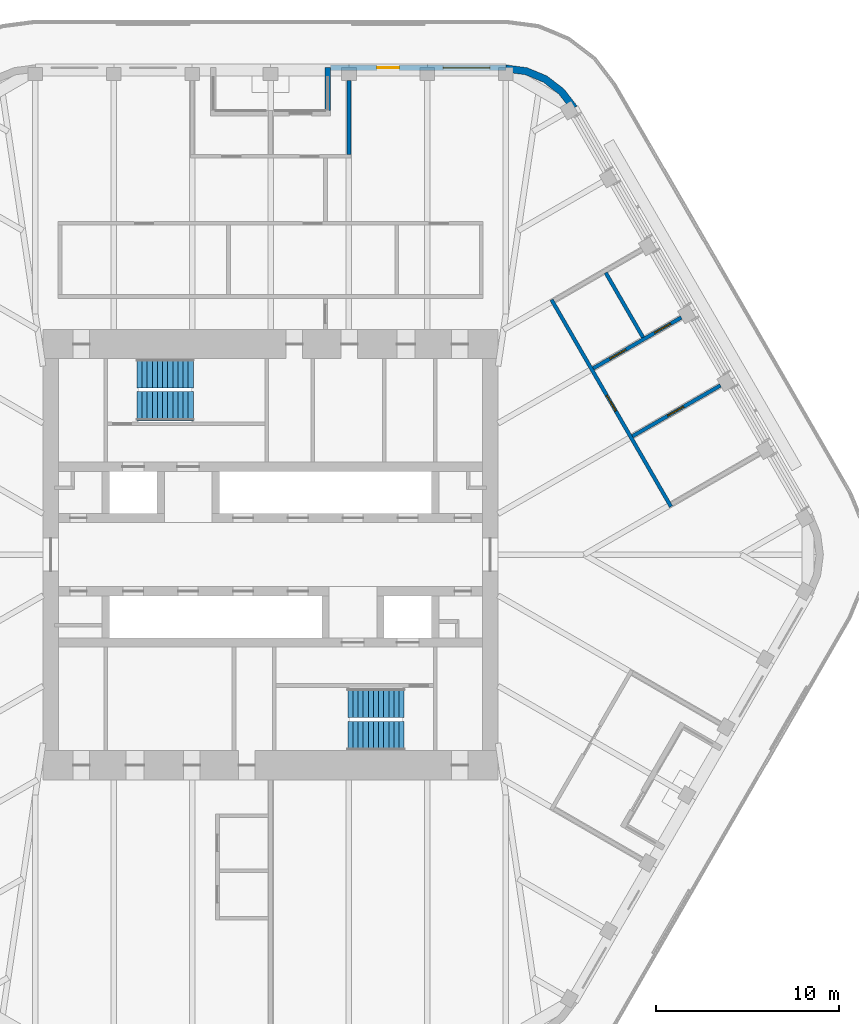
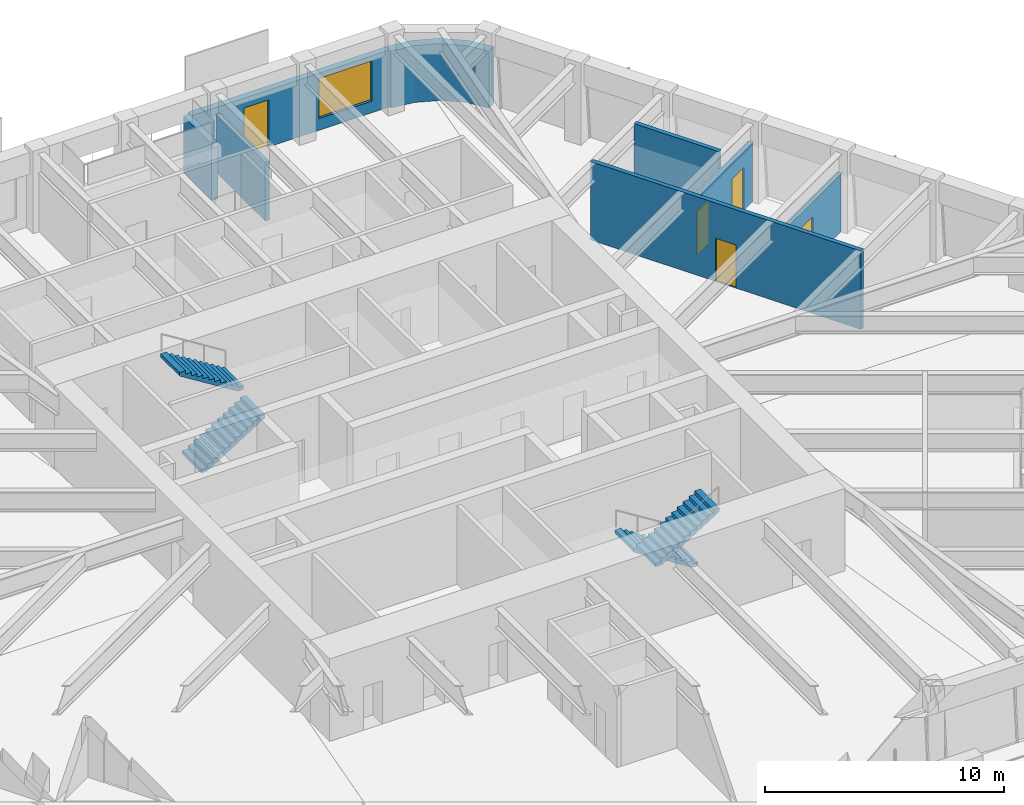
# One storey, part 16 of 19: 8 walls, 5 doors, 4 stair flights, 1 window, 6 openings, 2 elements without a shape of their own.
"""IFC4 building model written with IfcOpenShell, lengths in metres."""

from ifc_helpers import new_model, si_unit, direction, frame, frame_2d, origin, place, context, subcontext, project, spatial, polyline, rectangle, outline, extrude, material, layer, layer_set, type_object, element, fill, aggregate, save


model = new_model("IFC4")

# Units and contexts
model_context = context("Model", 3, precision=1e-05, world=origin(), true_north=direction((0.0, 1.0)))
body_context = subcontext(model_context, "Body", "Model", "MODEL_VIEW")
ifc_project = project(units=[si_unit("LENGTHUNIT", "METRE"), si_unit("AREAUNIT", "SQUARE_METRE"), si_unit("VOLUMEUNIT", "CUBIC_METRE"), si_unit("PLANEANGLEUNIT", "RADIAN"), si_unit("MASSUNIT", "GRAM", prefix="KILO")], contexts=[model_context])

# Site, building, storey
site_placement = place(None, origin())
site = spatial("IfcSite", under=ifc_project, at=site_placement, CompositionType="ELEMENT")
building_placement = place(site_placement, origin())
building = spatial("IfcBuilding", under=site, at=building_placement, Name="Tarfa Lantern Tower", CompositionType="ELEMENT")
storey_placement = place(building_placement, frame((0.0, 0.0, 374.5)))
storey = spatial("IfcBuildingStorey", under=building, at=storey_placement, Name="L85", CompositionType="ELEMENT", Elevation=374.5)

# Wall, openings, door, window
ifc_material_1 = material(Name="Limestone cladding on blockwork", Category="masonry")
ifc_layer_1 = layer(ifc_material_1, 0.300048828125)
ifc_layer_set_1 = layer_set([ifc_layer_1], Name="EW1 STONE-CLAD WALL 300")
wall_type_1 = type_object("IfcWallType", Name="EW1 STONE-CLAD WALL 300", PredefinedType="SOLIDWALL", material=ifc_layer_set_1)
wall_1_placement = place(storey_placement, frame((12.845947265625, 26.60009765625, 0.0), z_axis=(0.0, 0.0, 1.0), x_axis=(-1.0, 0.0, 0.0)))
wall_1 = element("IfcWall", 1, at=wall_1_placement, inside=storey, type_object=wall_type_1, Name="Stone wall N", PredefinedType="SOLIDWALL", context=body_context, shape_type="SweptSolid", body=[
    extrude(rectangle(XDim=9.56396484375, YDim=0.300048828125, at=frame_2d((4.781982421875, 0.0))), origin(), (0.0, 0.0, 1.0), 2.89990234375),
])
opening_1_placement = place(wall_1_placement, frame((0.865966796875, 0.0, 0.60009765625)))
opening_1 = element("IfcOpeningElement", 2, at=opening_1_placement, cuts=wall_1, Name="Opening W17", PredefinedType="OPENING", context=body_context, shape_type="SweptSolid", body=[
    extrude(rectangle(XDim=2.550048828125, YDim=2.050048828125, at=frame_2d((1.27490234375, 1.02490234375))), frame((0.0, 0.159912109375, 0.0), z_axis=(0.0, -1.0, 0.0), x_axis=(1.0, 0.0, 0.0)), (0.0, 0.0, 1.0), 0.320068359375),
])
opening_2_placement = place(wall_1_placement, frame((5.822998046875, 0.0, 0.0)))
opening_2 = element("IfcOpeningElement", 3, at=opening_2_placement, cuts=wall_1, Name="Opening D34", PredefinedType="OPENING", context=body_context, shape_type="SweptSolid", body=[
    extrude(rectangle(XDim=1.199951171875, YDim=2.39990234375, at=frame_2d((0.60009765625, 1.199951171875))), frame((0.0, 0.159912109375, 0.0), z_axis=(0.0, -1.0, 0.0), x_axis=(1.0, 0.0, 0.0)), (0.0, 0.0, 1.0), 0.320068359375),
])
ifc_material_2 = material(Name="Aluminium framed glazed door", Category="aluminium")
door_type_1 = type_object("IfcDoorType", Name="BE3 BALCONY DOOR 1200x2400", OperationType="SINGLE_SWING_RIGHT", PredefinedType="DOOR", material=ifc_material_2)
door_1_placement = place(opening_2_placement, origin())
door_1 = element("IfcDoor", 4, at=door_1_placement, inside=storey, type_object=door_type_1, Name="Balcony door N", OperationType="SINGLE_SWING_LEFT", OverallHeight=2.39990234375, OverallWidth=1.199951171875, PredefinedType="DOOR", context=body_context, shape_type="SweptSolid", body=[
    extrude(rectangle(XDim=1.199951171875, YDim=2.39990234375, at=frame_2d((0.60009765625, 1.199951171875))), frame((0.0, 0.02490234375, 0.0), z_axis=(0.0, -1.0, 0.0), x_axis=(1.0, 0.0, 0.0)), (0.0, 0.0, 1.0), 0.050048828125),
])
fill(opening_2, door_1)
ifc_material_3 = material(Name="Aluminium frame, double glazed", Category="aluminium")
window_type = type_object("IfcWindowType", Name="W17 FULL-HEIGHT GLAZING 2550x2050", PartitioningType="SINGLE_PANEL", PredefinedType="WINDOW", material=ifc_material_3)
window_placement = place(opening_1_placement, origin())
window = element("IfcWindow", 5, at=window_placement, inside=storey, type_object=window_type, Name="Window N 1", OverallHeight=2.050048828125, OverallWidth=2.550048828125, PartitioningType="SINGLE_PANEL", PredefinedType="WINDOW", context=body_context, shape_type="SweptSolid", body=[
    extrude(rectangle(XDim=2.550048828125, YDim=2.050048828125, at=frame_2d((1.27490234375, 1.02490234375))), frame((0.0, 0.030029296875, 0.0), z_axis=(0.0, -1.0, 0.0), x_axis=(1.0, 0.0, 0.0)), (0.0, 0.0, 1.0), 0.06005859375),
])
fill(opening_1, window)

# Walls
wall_2_placement = place(storey_placement, frame((3.132080078125, 26.60009765625, 0.0), z_axis=(0.0, 0.0, 1.0), x_axis=(0.0, -1.0, 0.0)))
element("IfcWall", 6, at=wall_2_placement, inside=storey, type_object=wall_type_1, Name="Terrace return N 1", PredefinedType="SOLIDWALL", context=body_context, shape_type="SweptSolid", body=[
    extrude(rectangle(XDim=2.35009765625, YDim=0.300048828125, at=frame_2d((1.175048828125, 0.0))), origin(), (0.0, 0.0, 1.0), 2.89990234375),
])
ifc_layer_2 = layer(ifc_material_1, 0.39990234375)
ifc_layer_set_2 = layer_set([ifc_layer_2], Name="EW2 CURVED STONE CORNER 400")
wall_type_2 = type_object("IfcWallType", Name="EW2 CURVED STONE CORNER 400", PredefinedType="SOLIDWALL", material=ifc_layer_set_2)
wall_3_placement = place(storey_placement, origin())
element("IfcWall", 7, at=wall_3_placement, inside=storey, type_object=wall_type_2, Name="Stone corner NE-N", PredefinedType="SOLIDWALL", context=body_context, shape_type="SweptSolid", body=[
    extrude(outline(polyline([(16.7431640625, 24.5), (16.028076171875, 25.431884765625), (15.095947265625, 26.147216796875), (14.0107421875, 26.5966796875), (12.845947265625, 26.75), (12.845947265625, 26.35009765625), (13.9072265625, 26.210205078125), (14.89599609375, 25.80078125), (15.7451171875, 25.149169921875), (16.396728515625, 24.300048828125), (16.7431640625, 24.5)])), origin(), (0.0, 0.0, 1.0), 2.89990234375),
])
ifc_material_4 = material(Name="Gypsum board on steel studs", Category="steel")
ifc_layer_3 = layer(ifc_material_4, 0.2099609375)
ifc_layer_set_3 = layer_set([ifc_layer_3], Name="IW2 ACOUSTIC PARTITION 200")
wall_type_3 = type_object("IfcWallType", Name="IW2 ACOUSTIC PARTITION 200", PredefinedType="PARTITIONING", material=ifc_layer_set_3)
wall_4_placement = place(storey_placement, frame((4.281982421875, 21.85009765625, 0.0), z_axis=(0.0, 0.0, 1.0), x_axis=(0.0, 1.0, 0.0)))
element("IfcWall", 8, at=wall_4_placement, inside=storey, type_object=wall_type_3, Name="Partition", PredefinedType="PARTITIONING", context=body_context, shape_type="SweptSolid", body=[
    extrude(rectangle(XDim=4.0498046875, YDim=0.199951171875, at=frame_2d((2.02490234375, 0.0))), origin(), (0.0, 0.0, 1.0), 2.991943359375),
])

# Wall, opening, door
wall_5_placement = place(storey_placement, frame((21.869140625, 2.621826171875, 0.0), z_axis=(0.0, 0.0, 1.0), x_axis=(-0.500013496215, 0.866017611601, 0.0)))
wall_5 = element("IfcWall", 9, at=wall_5_placement, inside=storey, type_object=wall_type_3, Name="Partition", PredefinedType="PARTITIONING", context=body_context, shape_type="SweptSolid", body=[
    extrude(rectangle(XDim=13.046142578125, YDim=0.199951171875, at=frame_2d((6.52294921875, 0.0))), origin(), (0.0, 0.0, 1.0), 4.0),
])
opening_3_placement = place(wall_5_placement, frame((6.02294921875, 0.0, 0.0)))
opening_3 = element("IfcOpeningElement", 10, at=opening_3_placement, cuts=wall_5, Name="Opening D24", PredefinedType="OPENING", context=body_context, shape_type="SweptSolid", body=[
    extrude(rectangle(XDim=1.0, YDim=2.199951171875, at=frame_2d((0.5, 1.10009765625))), frame((0.0, 0.10986328125, 0.0), z_axis=(0.0, -1.0, 0.0), x_axis=(1.0, 0.0, 0.0)), (0.0, 0.0, 1.0), 0.219970703125),
])
ifc_material_5 = material(Name="Timber door", Category="wood")
door_type_2 = type_object("IfcDoorType", Name="DR1 ROOM DOOR 1000x2200", OperationType="SINGLE_SWING_LEFT", PredefinedType="DOOR", material=ifc_material_5)
door_2_placement = place(opening_3_placement, frame((1.0, 0.0, 0.0), z_axis=(0.0, 0.0, 1.0), x_axis=(-1.0, 0.0, 0.0)))
door_2 = element("IfcDoor", 11, at=door_2_placement, inside=storey, type_object=door_type_2, Name="PA area door", OperationType="SINGLE_SWING_LEFT", OverallHeight=2.199951171875, OverallWidth=1.0, PredefinedType="DOOR", context=body_context, shape_type="SweptSolid", body=[
    extrude(rectangle(XDim=1.0, YDim=2.199951171875, at=frame_2d((0.5, 1.10009765625))), frame((0.0, 0.02490234375, 0.0), z_axis=(0.0, -1.0, 0.0), x_axis=(1.0, 0.0, 0.0)), (0.0, 0.0, 1.0), 0.050048828125),
])
fill(opening_3, door_2)

wall_6_placement = place(storey_placement, frame((19.7646484375, 6.466552734375, 0.0), z_axis=(0.0, 0.0, 1.0), x_axis=(0.866011969997, 0.500023267281, 0.0)))
wall_6 = element("IfcWall", 12, at=wall_6_placement, inside=storey, type_object=wall_type_3, Name="Partition", PredefinedType="PARTITIONING", context=body_context, shape_type="SweptSolid", body=[
    extrude(rectangle(XDim=5.550048828125, YDim=0.199951171875, at=frame_2d((2.77490234375, 0.0))), origin(), (0.0, 0.0, 1.0), 2.991943359375),
])
opening_4_placement = place(wall_6_placement, frame((2.22509765625, 0.0, 0.0)))
opening_4 = element("IfcOpeningElement", 13, at=opening_4_placement, cuts=wall_6, Name="Opening D23", PredefinedType="OPENING", context=body_context, shape_type="SweptSolid", body=[
    extrude(rectangle(XDim=1.0, YDim=2.199951171875, at=frame_2d((0.5, 1.10009765625))), frame((0.0, 0.10986328125, 0.0), z_axis=(0.0, -1.0, 0.0), x_axis=(1.0, 0.0, 0.0)), (0.0, 0.0, 1.0), 0.219970703125),
])
door_3_placement = place(opening_4_placement, frame((1.0, 0.0, 0.0), z_axis=(0.0, 0.0, 1.0), x_axis=(-1.0, 0.0, 0.0)))
door_3 = element("IfcDoor", 14, at=door_3_placement, inside=storey, type_object=door_type_2, Name="Executive office door", OperationType="SINGLE_SWING_LEFT", OverallHeight=2.199951171875, OverallWidth=1.0, PredefinedType="DOOR", context=body_context, shape_type="SweptSolid", body=[
    extrude(rectangle(XDim=1.0, YDim=2.199951171875, at=frame_2d((0.5, 1.10009765625))), frame((0.0, 0.02490234375, 0.0), z_axis=(0.0, -1.0, 0.0), x_axis=(1.0, 0.0, 0.0)), (0.0, 0.0, 1.0), 0.050048828125),
])
fill(opening_4, door_3)

# Wall, openings, doors
wall_7_placement = place(storey_placement, frame((17.62353515625, 10.175048828125, 0.0), z_axis=(0.0, 0.0, 1.0), x_axis=(0.866042014628, 0.499971228071, 0.0)))
wall_7 = element("IfcWall", 15, at=wall_7_placement, inside=storey, type_object=wall_type_3, Name="Partition", PredefinedType="PARTITIONING", context=body_context, shape_type="SweptSolid", body=[
    extrude(rectangle(XDim=5.550048828125, YDim=0.199951171875, at=frame_2d((2.77490234375, 0.0))), origin(), (0.0, 0.0, 1.0), 3.08154296875),
])
opening_5_placement = place(wall_7_placement, frame((1.050048828125, 0.0, 0.0)))
opening_5 = element("IfcOpeningElement", 16, at=opening_5_placement, cuts=wall_7, Name="Opening D25", PredefinedType="OPENING", context=body_context, shape_type="SweptSolid", body=[
    extrude(rectangle(XDim=1.0, YDim=2.199951171875, at=frame_2d((0.5, 1.10009765625))), frame((0.0, 0.10986328125, 0.0), z_axis=(0.0, -1.0, 0.0), x_axis=(1.0, 0.0, 0.0)), (0.0, 0.0, 1.0), 0.219970703125),
])
opening_6_placement = place(wall_7_placement, frame((3.875, 0.0, 0.0)))
opening_6 = element("IfcOpeningElement", 17, at=opening_6_placement, cuts=wall_7, Name="Opening D26", PredefinedType="OPENING", context=body_context, shape_type="SweptSolid", body=[
    extrude(rectangle(XDim=1.0, YDim=2.199951171875, at=frame_2d((0.5, 1.10009765625))), frame((0.0, 0.10986328125, 0.0), z_axis=(0.0, -1.0, 0.0), x_axis=(1.0, 0.0, 0.0)), (0.0, 0.0, 1.0), 0.219970703125),
])
door_4_placement = place(opening_5_placement, origin())
door_4 = element("IfcDoor", 18, at=door_4_placement, inside=storey, type_object=door_type_2, Name="Meeting room door", OperationType="SINGLE_SWING_RIGHT", OverallHeight=2.199951171875, OverallWidth=1.0, PredefinedType="DOOR", context=body_context, shape_type="SweptSolid", body=[
    extrude(rectangle(XDim=1.0, YDim=2.199951171875, at=frame_2d((0.5, 1.10009765625))), frame((0.0, 0.02490234375, 0.0), z_axis=(0.0, -1.0, 0.0), x_axis=(1.0, 0.0, 0.0)), (0.0, 0.0, 1.0), 0.050048828125),
])
fill(opening_5, door_4)
door_5_placement = place(opening_6_placement, origin())
door_5 = element("IfcDoor", 19, at=door_5_placement, inside=storey, type_object=door_type_2, Name="Private lounge door", OperationType="SINGLE_SWING_RIGHT", OverallHeight=2.199951171875, OverallWidth=1.0, PredefinedType="DOOR", context=body_context, shape_type="SweptSolid", body=[
    extrude(rectangle(XDim=1.0, YDim=2.199951171875, at=frame_2d((0.5, 1.10009765625))), frame((0.0, 0.02490234375, 0.0), z_axis=(0.0, -1.0, 0.0), x_axis=(1.0, 0.0, 0.0)), (0.0, 0.0, 1.0), 0.050048828125),
])
fill(opening_6, door_5)

# Wall
wall_8_placement = place(storey_placement, frame((20.344970703125, 11.861572265625, 0.0), z_axis=(0.0, 0.0, 1.0), x_axis=(-0.499998569178, 0.866026229868, 0.0)))
element("IfcWall", 20, at=wall_8_placement, inside=storey, type_object=wall_type_3, Name="Partition", PredefinedType="PARTITIONING", context=body_context, shape_type="SweptSolid", body=[
    extrude(rectangle(XDim=4.08203125, YDim=0.199951171875, at=frame_2d((2.041015625, 0.0))), origin(), (0.0, 0.0, 1.0), 4.0),
])

# Stair, stair flights
ifc_material_6 = material(Name="Concrete C40/50", Category="concrete")
stair_type = type_object("IfcStairType", Name="ST-T10 HALF-TURN STAIR 4200 RISE", PredefinedType="HALF_TURN_STAIR", material=ifc_material_6)
stair_1_placement = place(storey_placement, origin())
stair_1 = element("IfcStair", 21, at=stair_1_placement, inside=storey, type_object=stair_type, Name="Stair ST1", PredefinedType="HALF_TURN_STAIR")
stair_flight_type = type_object("IfcStairFlightType", Name="SF1 STAIR FLIGHT", PredefinedType="STRAIGHT", material=ifc_material_6)
stair_flight_1_placement = place(storey_placement, frame((-7.300048828125, 8.10009765625, 0.0), z_axis=(0.0, 0.0, 1.0), x_axis=(1.0, 0.0, 0.0)))
stair_flight_1 = element("IfcStairFlight", 22, at=stair_flight_1_placement, type_object=stair_flight_type, Name="ST1 flight 1", NumberOfRisers=12, NumberOfTreads=11, PredefinedType="STRAIGHT", RiserHeight=0.175, TreadLength=0.28, context=body_context, shape_type="SweptSolid", body=[
    extrude(outline(polyline([(0.0, 0.0), (0.0, 0.175048828125), (0.280029296875, 0.175048828125), (0.280029296875, 0.35009765625), (0.56005859375, 0.35009765625), (0.56005859375, 0.52490234375), (0.840087890625, 0.52490234375), (0.840087890625, 0.699951171875), (1.1201171875, 0.699951171875), (1.1201171875, 0.875), (1.39990234375, 0.875), (1.39990234375, 1.050048828125), (1.679931640625, 1.050048828125), (1.679931640625, 1.22509765625), (1.9599609375, 1.22509765625), (1.9599609375, 1.39990234375), (2.239990234375, 1.39990234375), (2.239990234375, 1.574951171875), (2.52001953125, 1.574951171875), (2.52001953125, 1.75), (2.800048828125, 1.75), (2.800048828125, 1.925048828125), (3.080078125, 1.925048828125), (3.080078125, 2.10009765625), (3.080078125, 1.748291015625), (0.28271484375, 0.0), (0.0, 0.0)])), frame((0.0, 0.800048828125, 0.0), z_axis=(0.0, -1.0, 0.0), x_axis=(1.0, 0.0, 0.0)), (0.0, 0.0, 1.0), 1.60009765625),
])
stair_flight_2_placement = place(storey_placement, frame((-4.219970703125, 9.89990234375, 2.10009765625), z_axis=(0.0, 0.0, 1.0), x_axis=(-1.0, 0.0, 0.0)))
stair_flight_2 = element("IfcStairFlight", 23, at=stair_flight_2_placement, type_object=stair_flight_type, Name="ST1 flight 2", NumberOfRisers=12, NumberOfTreads=11, PredefinedType="STRAIGHT", RiserHeight=0.175, TreadLength=0.28, context=body_context, shape_type="SweptSolid", body=[
    extrude(outline(polyline([(0.0, 0.0), (0.0, 0.175048828125), (0.280029296875, 0.175048828125), (0.280029296875, 0.35009765625), (0.56005859375, 0.35009765625), (0.56005859375, 0.52490234375), (0.840087890625, 0.52490234375), (0.840087890625, 0.699951171875), (1.1201171875, 0.699951171875), (1.1201171875, 0.875), (1.39990234375, 0.875), (1.39990234375, 1.050048828125), (1.679931640625, 1.050048828125), (1.679931640625, 1.22509765625), (1.9599609375, 1.22509765625), (1.9599609375, 1.39990234375), (2.239990234375, 1.39990234375), (2.239990234375, 1.574951171875), (2.52001953125, 1.574951171875), (2.52001953125, 1.75), (2.800048828125, 1.75), (2.800048828125, 1.925048828125), (3.080078125, 1.925048828125), (3.080078125, 2.10009765625), (3.080078125, 1.748291015625), (0.28271484375, 0.0), (0.0, 0.0)])), frame((0.0, 0.800048828125, 0.0), z_axis=(0.0, -1.0, 0.0), x_axis=(1.0, 0.0, 0.0)), (0.0, 0.0, 1.0), 1.60009765625),
])
aggregate(stair_1, [stair_flight_1, stair_flight_2])

stair_2_placement = place(storey_placement, origin())
stair_2 = element("IfcStair", 24, at=stair_2_placement, inside=storey, type_object=stair_type, Name="Stair ST2", PredefinedType="HALF_TURN_STAIR")
stair_flight_3_placement = place(storey_placement, frame((7.300048828125, -8.10009765625, 0.0), z_axis=(0.0, 0.0, 1.0), x_axis=(-1.0, 0.0, 0.0)))
stair_flight_3 = element("IfcStairFlight", 25, at=stair_flight_3_placement, type_object=stair_flight_type, Name="ST2 flight 1", NumberOfRisers=12, NumberOfTreads=11, PredefinedType="STRAIGHT", RiserHeight=0.175, TreadLength=0.28, context=body_context, shape_type="SweptSolid", body=[
    extrude(outline(polyline([(0.0, 0.0), (0.0, 0.175048828125), (0.280029296875, 0.175048828125), (0.280029296875, 0.35009765625), (0.56005859375, 0.35009765625), (0.56005859375, 0.52490234375), (0.840087890625, 0.52490234375), (0.840087890625, 0.699951171875), (1.1201171875, 0.699951171875), (1.1201171875, 0.875), (1.39990234375, 0.875), (1.39990234375, 1.050048828125), (1.679931640625, 1.050048828125), (1.679931640625, 1.22509765625), (1.9599609375, 1.22509765625), (1.9599609375, 1.39990234375), (2.239990234375, 1.39990234375), (2.239990234375, 1.574951171875), (2.52001953125, 1.574951171875), (2.52001953125, 1.75), (2.800048828125, 1.75), (2.800048828125, 1.925048828125), (3.080078125, 1.925048828125), (3.080078125, 2.10009765625), (3.080078125, 1.748291015625), (0.28271484375, 0.0), (0.0, 0.0)])), frame((0.0, 0.800048828125, 0.0), z_axis=(0.0, -1.0, 0.0), x_axis=(1.0, 0.0, 0.0)), (0.0, 0.0, 1.0), 1.60009765625),
])
stair_flight_4_placement = place(storey_placement, frame((4.219970703125, -9.89990234375, 2.10009765625), z_axis=(0.0, 0.0, 1.0), x_axis=(1.0, 0.0, 0.0)))
stair_flight_4 = element("IfcStairFlight", 26, at=stair_flight_4_placement, type_object=stair_flight_type, Name="ST2 flight 2", NumberOfRisers=12, NumberOfTreads=11, PredefinedType="STRAIGHT", RiserHeight=0.175, TreadLength=0.28, context=body_context, shape_type="SweptSolid", body=[
    extrude(outline(polyline([(0.0, 0.0), (0.0, 0.175048828125), (0.280029296875, 0.175048828125), (0.280029296875, 0.35009765625), (0.56005859375, 0.35009765625), (0.56005859375, 0.52490234375), (0.840087890625, 0.52490234375), (0.840087890625, 0.699951171875), (1.1201171875, 0.699951171875), (1.1201171875, 0.875), (1.39990234375, 0.875), (1.39990234375, 1.050048828125), (1.679931640625, 1.050048828125), (1.679931640625, 1.22509765625), (1.9599609375, 1.22509765625), (1.9599609375, 1.39990234375), (2.239990234375, 1.39990234375), (2.239990234375, 1.574951171875), (2.52001953125, 1.574951171875), (2.52001953125, 1.75), (2.800048828125, 1.75), (2.800048828125, 1.925048828125), (3.080078125, 1.925048828125), (3.080078125, 2.10009765625), (3.080078125, 1.748291015625), (0.28271484375, 0.0), (0.0, 0.0)])), frame((0.0, 0.800048828125, 0.0), z_axis=(0.0, -1.0, 0.0), x_axis=(1.0, 0.0, 0.0)), (0.0, 0.0, 1.0), 1.60009765625),
])
aggregate(stair_2, [stair_flight_3, stair_flight_4])

save(model, "model.ifc")
